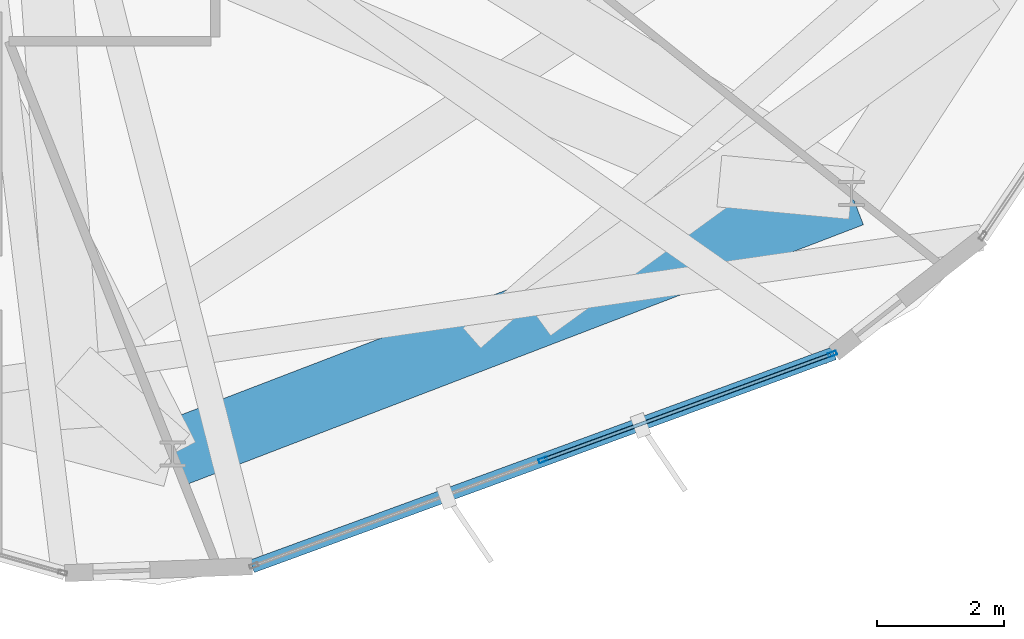
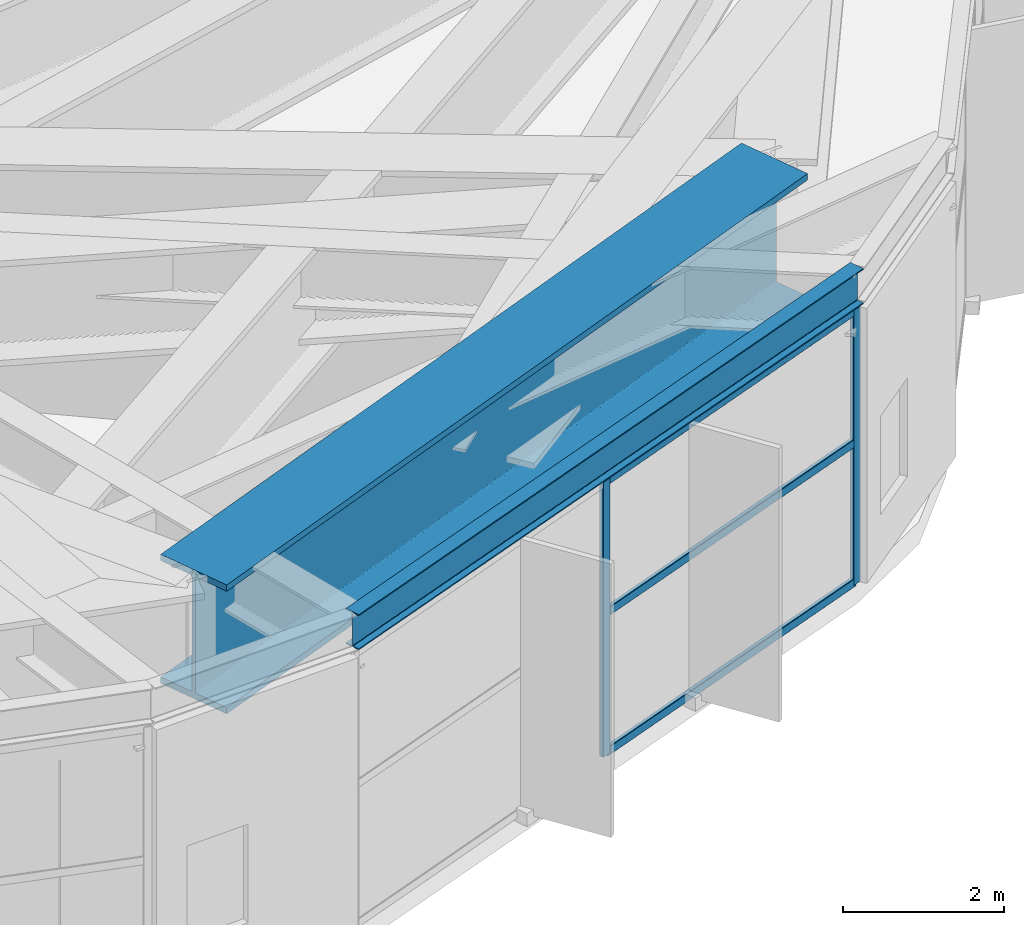
# One storey, part 8 of 30: 5 members, 2 beams, 1 element without a shape of its own.
"""IFC4 building model written with IfcOpenShell, lengths in metres."""

from ifc_helpers import new_model, si_unit, direction, frame, origin, origin_2d, place, context, subcontext, project, spatial, hollow_rectangle, i_section, extrude, material, layer, layer_set, material_profile, profile_set, type_object, element, aggregate, save


model = new_model("IFC4")

# Units and contexts
model_context = context("Model", 3, precision=1e-05, world=origin(), true_north=direction((0.0, 1.0)))
body_context = subcontext(model_context, "Body", "Model", "MODEL_VIEW")
ifc_project = project(units=[si_unit("LENGTHUNIT", "METRE"), si_unit("AREAUNIT", "SQUARE_METRE"), si_unit("VOLUMEUNIT", "CUBIC_METRE"), si_unit("PLANEANGLEUNIT", "RADIAN"), si_unit("MASSUNIT", "GRAM", prefix="KILO")], contexts=[model_context])

# Site, building, storey
site_placement = place(None, origin())
site = spatial("IfcSite", under=ifc_project, at=site_placement, CompositionType="ELEMENT")
building_placement = place(site_placement, origin())
building = spatial("IfcBuilding", under=site, at=building_placement, Name="Soratama Intermodal Tower", CompositionType="ELEMENT")
storey_placement = place(building_placement, frame((0.0, 0.0, 237.39990234375)))
storey = spatial("IfcBuildingStorey", under=building, at=storey_placement, Name="L60", CompositionType="ELEMENT", Elevation=237.39990234375)

# Beams
ifc_material_1 = material(Name="Structural steel ASTM A992 Grade 50", Category="steel")
ifc_material_profile_1 = material_profile(ifc_material_1, i_section(OverallWidth=0.2099609375, OverallDepth=0.537109375, WebThickness=0.010986328125, FlangeThickness=0.017333984375, FilletRadius=0.012939453125, at=origin_2d()), Name="W21X68")
ifc_profile_set_1 = profile_set([ifc_material_profile_1], Name="Structural steel ASTM A992 Grade 50")
beam_type_1 = type_object("IfcBeamType", Name="BM-SPN-W21X68", PredefinedType="SPANDREL", material=ifc_profile_set_1)
beam_1_placement = place(storey_placement, frame((47.22998046875, 4.64990234375, 4.531494140625), z_axis=(0.939090098667, 0.343671044148, 0.0), x_axis=(-0.343671044148, 0.939090098667, 0.0)))
element("IfcBeam", 1, at=beam_1_placement, inside=storey, type_object=beam_type_1, Name="BS-L60-F07", PredefinedType="SPANDREL", context=body_context, shape_type="SweptSolid", body=[
    extrude(i_section(OverallWidth=0.2099609375, OverallDepth=0.537109375, WebThickness=0.010986328125, FlangeThickness=0.017333984375, FilletRadius=0.012939453125, at=origin_2d()), origin(), (0.0, 0.0, 1.0), 9.797607421875),
])
ifc_material_2 = material(Name="Structural steel ASTM A992 Grade 50", Category="steel")
ifc_material_profile_2 = material_profile(ifc_material_2, i_section(OverallWidth=1.06005859375, OverallDepth=1.9599609375, WebThickness=0.05810546875, FlangeThickness=0.095947265625, FilletRadius=0.02392578125, at=origin_2d()), Name="PG2400X900")
ifc_profile_set_2 = profile_set([ifc_material_profile_2], Name="Structural steel ASTM A992 Grade 50")
beam_type_2 = type_object("IfcBeamType", Name="BM-ZSTEP-PG2400", PredefinedType="BEAM", material=ifc_profile_set_2)
beam_2_placement = place(storey_placement, frame((45.972900390625, 6.426025390625, 3.820068359375), z_axis=(0.933603724339, 0.358307250695, 0.0), x_axis=(-0.358307250695, 0.933603724339, 0.0)))
element("IfcBeam", 2, at=beam_2_placement, inside=storey, type_object=beam_type_2, Name="BM-L60-RING-08", PredefinedType="BEAM", context=body_context, shape_type="SweptSolid", body=[
    extrude(i_section(OverallWidth=1.06005859375, OverallDepth=1.9599609375, WebThickness=0.05810546875, FlangeThickness=0.095947265625, FilletRadius=0.02392578125, at=origin_2d()), origin(), (0.0, 0.0, 1.0), 11.495361328125),
])

# Curtain wall, members
ifc_material_3 = material(Name="Double-glazed aluminium curtain wall", Category="aluminium")
ifc_layer = layer(ifc_material_3, 0.159912109375)
ifc_layer_set = layer_set([ifc_layer], Name="Double-glazed aluminium curtain wall")
curtain_wall_type = type_object("IfcCurtainWallType", Name="CW-SYS-5", PredefinedType="NOTDEFINED", material=ifc_layer_set)
curtain_wall_placement = place(storey_placement, origin())
curtain_wall = element("IfcCurtainWall", 3, at=curtain_wall_placement, inside=storey, type_object=curtain_wall_type, Name="L60 Faceted Curtain Wall F07", PredefinedType="NOTDEFINED")
ifc_material_4 = material(Name="Anodised aluminium AA 6063-T6", Category="aluminium")
ifc_material_profile_3 = material_profile(ifc_material_4, hollow_rectangle(XDim=0.06494140625, YDim=0.139892578125, WallThickness=0.0048828125, InnerFilletRadius=0.0048828125, OuterFilletRadius=0.010009765625, at=origin_2d()), Name="CWM140X65X5")
ifc_profile_set_3 = profile_set([ifc_material_profile_3], Name="Anodised aluminium AA 6063-T6")
member_type_1 = type_object("IfcMemberType", Name="MT-CWM-5", PredefinedType="MULLION", material=ifc_profile_set_3)
member_1_placement = place(storey_placement, frame((51.8310546875, 6.33349609375, 0.0), z_axis=(0.0, 0.0, 1.0), x_axis=(-0.343664081803, 0.93909264659, 0.0)))
member_1 = element("IfcMember", 4, at=member_1_placement, type_object=member_type_1, Name="CW-5 mullion 2", PredefinedType="MULLION", context=body_context, shape_type="SweptSolid", body=[
    extrude(hollow_rectangle(XDim=0.06494140625, YDim=0.139892578125, WallThickness=0.0048828125, InnerFilletRadius=0.0048828125, OuterFilletRadius=0.010009765625, at=origin_2d()), origin(), (0.0, 0.0, 1.0), 4.17919921875),
])
member_2_placement = place(storey_placement, frame((56.4033203125, 8.0068359375, 0.0), z_axis=(0.0, 0.0, 1.0), x_axis=(-0.343664081803, 0.93909264659, 0.0)))
member_2 = element("IfcMember", 5, at=member_2_placement, type_object=member_type_1, Name="CW-5 mullion 3", PredefinedType="MULLION", context=body_context, shape_type="SweptSolid", body=[
    extrude(hollow_rectangle(XDim=0.06494140625, YDim=0.139892578125, WallThickness=0.0048828125, InnerFilletRadius=0.0048828125, OuterFilletRadius=0.010009765625, at=origin_2d()), origin(), (0.0, 0.0, 1.0), 4.17919921875),
])
ifc_material_5 = material(Name="Anodised aluminium AA 6063-T6", Category="aluminium")
ifc_material_profile_4 = material_profile(ifc_material_5, hollow_rectangle(XDim=0.06005859375, YDim=0.1298828125, WallThickness=0.0048828125, InnerFilletRadius=0.0048828125, OuterFilletRadius=0.010009765625, at=origin_2d()), Name="CWT130X60X5")
ifc_profile_set_4 = profile_set([ifc_material_profile_4], Name="Anodised aluminium AA 6063-T6")
member_type_2 = type_object("IfcMemberType", Name="TT-CWT-2", PredefinedType="USERDEFINED", material=ifc_profile_set_4)
member_3_placement = place(storey_placement, frame((51.859130859375, 6.34375, 0.030029296875), z_axis=(0.939076895781, 0.343707119232, 0.0), x_axis=(-0.343707119232, 0.939076895781, 0.0)))
member_3 = element("IfcMember", 6, at=member_3_placement, type_object=member_type_2, Name="CW-5 transom 2.1", ObjectType="TRANSOM", PredefinedType="USERDEFINED", context=body_context, shape_type="SweptSolid", body=[
    extrude(hollow_rectangle(XDim=0.06005859375, YDim=0.1298828125, WallThickness=0.0048828125, InnerFilletRadius=0.0048828125, OuterFilletRadius=0.010009765625, at=origin_2d()), origin(), (0.0, 0.0, 1.0), 4.808837890625),
])
member_4_placement = place(storey_placement, frame((51.859130859375, 6.34375, 2.150146484375), z_axis=(0.939076895781, 0.343707119232, 0.0), x_axis=(-0.343707119232, 0.939076895781, 0.0)))
member_4 = element("IfcMember", 7, at=member_4_placement, type_object=member_type_2, Name="CW-5 transom 2.2", ObjectType="TRANSOM", PredefinedType="USERDEFINED", context=body_context, shape_type="SweptSolid", body=[
    extrude(hollow_rectangle(XDim=0.06005859375, YDim=0.1298828125, WallThickness=0.0048828125, InnerFilletRadius=0.0048828125, OuterFilletRadius=0.010009765625, at=origin_2d()), origin(), (0.0, 0.0, 1.0), 4.808837890625),
])
member_5_placement = place(storey_placement, frame((51.859130859375, 6.34375, 4.149169921875), z_axis=(0.939076895781, 0.343707119232, 0.0), x_axis=(-0.343707119232, 0.939076895781, 0.0)))
member_5 = element("IfcMember", 8, at=member_5_placement, type_object=member_type_2, Name="CW-5 transom 2.3", ObjectType="TRANSOM", PredefinedType="USERDEFINED", context=body_context, shape_type="SweptSolid", body=[
    extrude(hollow_rectangle(XDim=0.06005859375, YDim=0.1298828125, WallThickness=0.0048828125, InnerFilletRadius=0.0048828125, OuterFilletRadius=0.010009765625, at=origin_2d()), origin(), (0.0, 0.0, 1.0), 4.808837890625),
])
aggregate(curtain_wall, [member_1, member_2, member_3, member_4, member_5])

save(model, "model.ifc")
